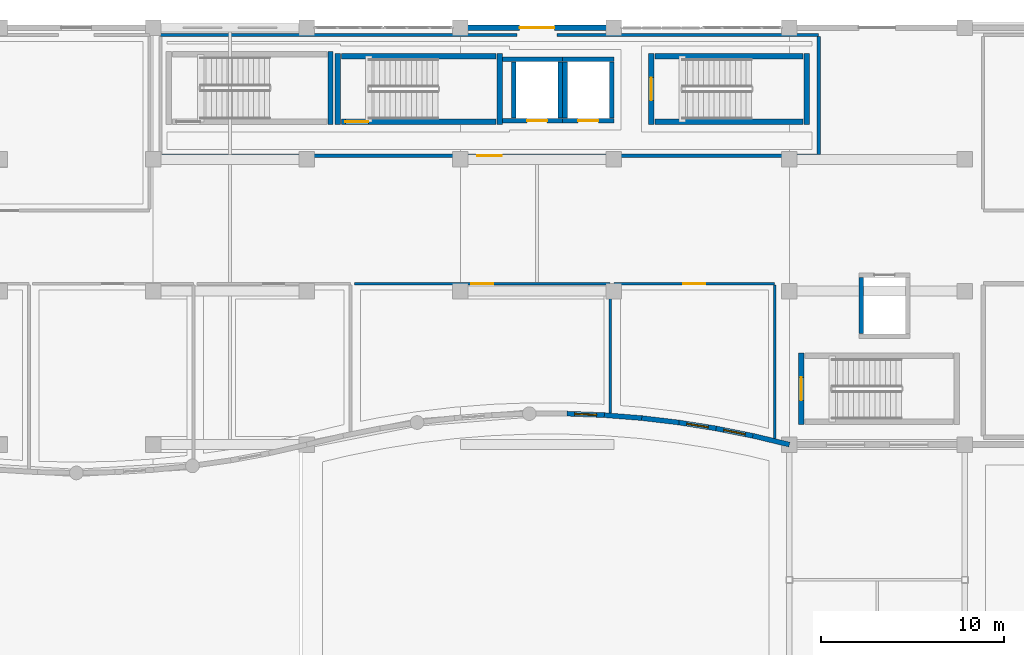
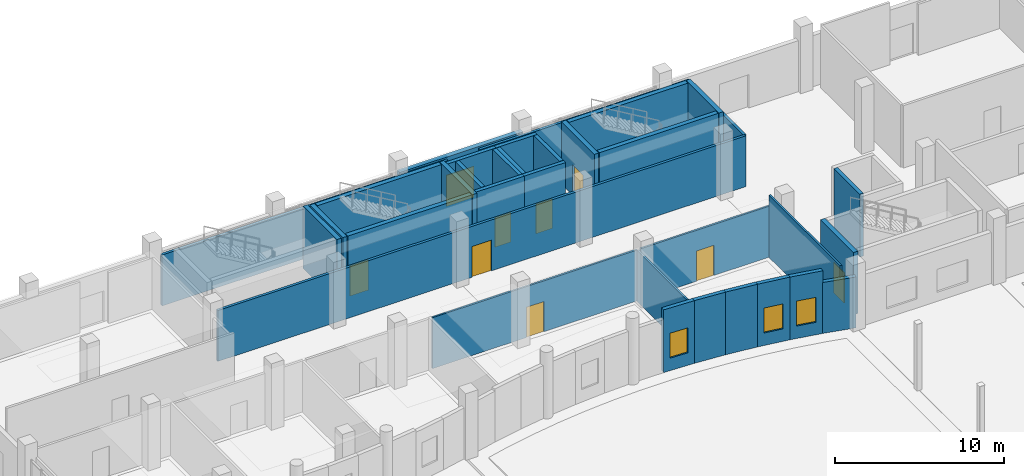
# One storey, part 69 of 97: 34 walls, 9 doors, 3 windows, 12 openings.
"""IFC4 building model written with IfcOpenShell, lengths in metres."""

from ifc_helpers import new_model, si_unit, direction, frame, frame_2d, origin, place, context, subcontext, project, spatial, rectangle, extrude, material, layer, layer_set, type_object, element, fill, save


model = new_model("IFC4")

# Units and contexts
model_context = context("Model", 3, precision=1e-05, world=origin(), true_north=direction((0.0, 1.0)))
body_context = subcontext(model_context, "Body", "Model", "MODEL_VIEW")
ifc_project = project(units=[si_unit("LENGTHUNIT", "METRE"), si_unit("AREAUNIT", "SQUARE_METRE"), si_unit("VOLUMEUNIT", "CUBIC_METRE"), si_unit("PLANEANGLEUNIT", "RADIAN"), si_unit("MASSUNIT", "GRAM", prefix="KILO")], contexts=[model_context])

# Site, building, storey
site_placement = place(None, origin())
site = spatial("IfcSite", under=ifc_project, at=site_placement, CompositionType="ELEMENT")
building_placement = place(site_placement, origin())
building = spatial("IfcBuilding", under=site, at=building_placement, Name="Kisaragi Civic Commons", CompositionType="ELEMENT")
storey_placement = place(building_placement, origin())
storey = spatial("IfcBuildingStorey", under=building, at=storey_placement, Name="L00", CompositionType="ELEMENT", Elevation=0.0)

# Wall, opening, door
ifc_material_1 = material(Name="Insulated Tokoname terracotta cavity wall", Category="masonry")
ifc_layer_1 = layer(ifc_material_1, 0.320068359375, Name="Insulated Tokoname terracotta cavity wall", Category="masonry")
ifc_layer_set_1 = layer_set([ifc_layer_1], Name="Insulated Tokoname terracotta cavity wall")
wall_type_1 = type_object("IfcWallType", Name="EW-01", PredefinedType="STANDARD", material=ifc_layer_set_1)
wall_1_placement = place(storey_placement, frame((105.60009765625, 118.800048828125, 0.0), z_axis=(0.0, 0.0, 1.0), x_axis=(1.0, 0.0, 0.0)))
wall_1 = element("IfcWall", 1, at=wall_1_placement, inside=storey, type_object=wall_type_1, Name="V4 L00 exterior terracotta wall EW-01 280", PredefinedType="STANDARD", context=body_context, shape_type="SweptSolid", body=[
    extrude(rectangle(XDim=8.39990234375, YDim=0.320068359375, at=frame_2d((4.199951171875, 0.0))), origin(), (0.0, 0.0, 1.0), 3.669921875),
])
opening_1_placement = place(wall_1_placement, frame((3.25, 0.0, 0.0)))
opening_1 = element("IfcOpeningElement", 2, at=opening_1_placement, cuts=wall_1, Name="Opening ED-F", PredefinedType="OPENING", context=body_context, shape_type="SweptSolid", body=[
    extrude(rectangle(XDim=1.89990234375, YDim=2.25, at=frame_2d((0.949951171875, 1.125))), frame((0.0, 0.169921875, 0.0), z_axis=(0.0, -1.0, 0.0), x_axis=(1.0, 0.0, 0.0)), (0.0, 0.0, 1.0), 0.340087890625),
])
ifc_material_2 = material(Name="Thermally broken anodized aluminium glazed exit door", Category="aluminium")
door_type_1 = type_object("IfcDoorType", Name="ED-F", OperationType="NOTDEFINED", PredefinedType="DOOR", material=ifc_material_2)
door_1_placement = place(opening_1_placement, origin())
door_1 = element("IfcDoor", 3, at=door_1_placement, inside=storey, type_object=door_type_1, Name="Ground exterior exit and veranda door ED-F 18", OperationType="DOUBLE_DOOR_SINGLE_SWING", OverallHeight=2.25, OverallWidth=1.89990234375, PredefinedType="DOOR", context=body_context, shape_type="SweptSolid", body=[
    extrude(rectangle(XDim=1.89990234375, YDim=2.25, at=frame_2d((0.949951171875, 1.125))), frame((0.0, 0.02490234375, 0.0), z_axis=(0.0, -1.0, 0.0), x_axis=(1.0, 0.0, 0.0)), (0.0, 0.0, 1.0), 0.050048828125),
])
fill(opening_1, door_1)

# Wall
ifc_layer_2 = layer(ifc_material_1, 0.26806640625, Name="Insulated Tokoname terracotta cavity wall", Category="masonry")
ifc_layer_set_2 = layer_set([ifc_layer_2], Name="Insulated Tokoname terracotta cavity wall")
wall_type_2 = type_object("IfcWallType", Name="EW-04", PredefinedType="STANDARD", material=ifc_layer_set_2)
wall_2_placement = place(storey_placement, frame((123.60009765625, 96.0, 0.0), z_axis=(0.0, 0.0, 1.0), x_axis=(-0.972062565516, 0.234721896554, 0.0)))
element("IfcWall", 4, at=wall_2_placement, inside=storey, type_object=wall_type_2, Name="V4 L00 exterior terracotta wall EW-04 289", PredefinedType="STANDARD", context=body_context, shape_type="SweptSolid", body=[
    extrude(rectangle(XDim=2.05322265625, YDim=0.26806640625, at=frame_2d((1.026611328125, 0.0))), origin(), (0.0, 0.0, 1.0), 3.669921875),
])

# Wall, opening, window
wall_3_placement = place(storey_placement, frame((121.604248046875, 96.48193359375, 0.0), z_axis=(0.0, 0.0, 1.0), x_axis=(-0.980585249135, 0.196093266532, 0.0)))
wall_3 = element("IfcWall", 5, at=wall_3_placement, inside=storey, type_object=wall_type_2, Name="V4 L00 exterior terracotta wall EW-04 290", PredefinedType="STANDARD", context=body_context, shape_type="SweptSolid", body=[
    extrude(rectangle(XDim=2.052978515625, YDim=0.26806640625, at=frame_2d((1.0263671875, 0.0))), origin(), (0.0, 0.0, 1.0), 4.52001953125),
])
opening_2_placement = place(wall_3_placement, frame((0.426513671875, 0.0, 0.89990234375)))
opening_2 = element("IfcOpeningElement", 6, at=opening_2_placement, cuts=wall_3, Name="Opening W-05", PredefinedType="OPENING", context=body_context, shape_type="SweptSolid", body=[
    extrude(rectangle(XDim=1.199951171875, YDim=1.800048828125, at=frame_2d((0.60009765625, 0.89990234375))), frame((0.0, 0.14404296875, 0.0), z_axis=(0.0, -1.0, 0.0), x_axis=(1.0, 0.0, 0.0)), (0.0, 0.0, 1.0), 0.2880859375),
])
ifc_material_3 = material(Name="Thermally broken aluminium frame and low-E argon double glazing", Category="aluminium")
window_type = type_object("IfcWindowType", Name="W-05", PartitioningType="SINGLE_PANEL", PredefinedType="WINDOW", material=ifc_material_3)
window_1_placement = place(opening_2_placement, origin())
window_1 = element("IfcWindow", 7, at=window_1_placement, inside=storey, type_object=window_type, Name="V4 L00 window W-05 95", OverallHeight=1.800048828125, OverallWidth=1.199951171875, PartitioningType="SINGLE_PANEL", PredefinedType="WINDOW", context=body_context, shape_type="SweptSolid", body=[
    extrude(rectangle(XDim=1.199951171875, YDim=1.800048828125, at=frame_2d((0.60009765625, 0.89990234375))), frame((0.0, 0.030029296875, 0.0), z_axis=(0.0, -1.0, 0.0), x_axis=(1.0, 0.0, 0.0)), (0.0, 0.0, 1.0), 0.06005859375),
])
fill(opening_2, window_1)

wall_4_placement = place(storey_placement, frame((119.591064453125, 96.884521484375, 0.0), z_axis=(0.0, 0.0, 1.0), x_axis=(-0.987547997058, 0.157318001217, 0.0)))
wall_4 = element("IfcWall", 8, at=wall_4_placement, inside=storey, type_object=wall_type_2, Name="V4 L00 exterior terracotta wall EW-04 291", PredefinedType="STANDARD", context=body_context, shape_type="SweptSolid", body=[
    extrude(rectangle(XDim=2.05322265625, YDim=0.26806640625, at=frame_2d((1.026611328125, 0.0))), origin(), (0.0, 0.0, 1.0), 4.52001953125),
])
opening_3_placement = place(wall_4_placement, frame((0.426513671875, 0.0, 0.89990234375)))
opening_3 = element("IfcOpeningElement", 9, at=opening_3_placement, cuts=wall_4, Name="Opening W-05", PredefinedType="OPENING", context=body_context, shape_type="SweptSolid", body=[
    extrude(rectangle(XDim=1.199951171875, YDim=1.800048828125, at=frame_2d((0.60009765625, 0.89990234375))), frame((0.0, 0.14404296875, 0.0), z_axis=(0.0, -1.0, 0.0), x_axis=(1.0, 0.0, 0.0)), (0.0, 0.0, 1.0), 0.2880859375),
])
window_2_placement = place(opening_3_placement, origin())
window_2 = element("IfcWindow", 10, at=window_2_placement, inside=storey, type_object=window_type, Name="V4 L00 window W-05 96", OverallHeight=1.800048828125, OverallWidth=1.199951171875, PartitioningType="SINGLE_PANEL", PredefinedType="WINDOW", context=body_context, shape_type="SweptSolid", body=[
    extrude(rectangle(XDim=1.199951171875, YDim=1.800048828125, at=frame_2d((0.60009765625, 0.89990234375))), frame((0.0, 0.030029296875, 0.0), z_axis=(0.0, -1.0, 0.0), x_axis=(1.0, 0.0, 0.0)), (0.0, 0.0, 1.0), 0.06005859375),
])
fill(opening_3, window_2)

# Walls
wall_5_placement = place(storey_placement, frame((117.5634765625, 97.20751953125, 0.0), z_axis=(0.0, 0.0, 1.0), x_axis=(-0.992988938913, 0.118207306021, 0.0)))
element("IfcWall", 11, at=wall_5_placement, inside=storey, type_object=wall_type_2, Name="V4 L00 exterior terracotta wall EW-04 292", PredefinedType="STANDARD", context=body_context, shape_type="SweptSolid", body=[
    extrude(rectangle(XDim=2.052978515625, YDim=0.26806640625, at=frame_2d((1.0263671875, 0.0))), origin(), (0.0, 0.0, 1.0), 4.52001953125),
])
wall_6_placement = place(storey_placement, frame((115.52490234375, 97.4501953125, 0.0), z_axis=(0.0, 0.0, 1.0), x_axis=(-0.996887829118, 0.078833090494, 0.0)))
element("IfcWall", 12, at=wall_6_placement, inside=storey, type_object=wall_type_2, Name="V4 L00 exterior terracotta wall EW-04 293", PredefinedType="STANDARD", context=body_context, shape_type="SweptSolid", body=[
    extrude(rectangle(XDim=2.05322265625, YDim=0.26806640625, at=frame_2d((1.026611328125, 0.0))), origin(), (0.0, 0.0, 1.0), 4.52001953125),
])

# Wall, opening, window
wall_7_placement = place(storey_placement, frame((113.47802734375, 97.612060546875, 0.0), z_axis=(0.0, 0.0, 1.0), x_axis=(-0.999220404448, 0.039478897332, 0.0)))
wall_7 = element("IfcWall", 13, at=wall_7_placement, inside=storey, type_object=wall_type_2, Name="V4 L00 exterior terracotta wall EW-04 294", PredefinedType="STANDARD", context=body_context, shape_type="SweptSolid", body=[
    extrude(rectangle(XDim=2.05322265625, YDim=0.26806640625, at=frame_2d((1.026611328125, 0.0))), origin(), (0.0, 0.0, 1.0), 4.52001953125),
])
opening_4_placement = place(wall_7_placement, frame((0.426513671875, 0.0, 0.89990234375)))
opening_4 = element("IfcOpeningElement", 14, at=opening_4_placement, cuts=wall_7, Name="Opening W-05", PredefinedType="OPENING", context=body_context, shape_type="SweptSolid", body=[
    extrude(rectangle(XDim=1.199951171875, YDim=1.800048828125, at=frame_2d((0.60009765625, 0.89990234375))), frame((0.0, 0.14404296875, 0.0), z_axis=(0.0, -1.0, 0.0), x_axis=(1.0, 0.0, 0.0)), (0.0, 0.0, 1.0), 0.2880859375),
])
window_3_placement = place(opening_4_placement, origin())
window_3 = element("IfcWindow", 15, at=window_3_placement, inside=storey, type_object=window_type, Name="V4 L00 window W-05 97", OverallHeight=1.800048828125, OverallWidth=1.199951171875, PartitioningType="SINGLE_PANEL", PredefinedType="WINDOW", context=body_context, shape_type="SweptSolid", body=[
    extrude(rectangle(XDim=1.199951171875, YDim=1.800048828125, at=frame_2d((0.60009765625, 0.89990234375))), frame((0.0, 0.030029296875, 0.0), z_axis=(0.0, -1.0, 0.0), x_axis=(1.0, 0.0, 0.0)), (0.0, 0.0, 1.0), 0.06005859375),
])
fill(opening_4, window_3)

# Walls
ifc_material_4 = material(Name="Fire-rated double gypsum board on steel studs with mineral wool", Category="steel")
ifc_layer_3 = layer(ifc_material_4, 0.177978515625, Name="Fire-rated double gypsum board on steel studs with mineral wool", Category="steel")
ifc_layer_set_3 = layer_set([ifc_layer_3], Name="Fire-rated double gypsum board on steel studs with mineral wool")
wall_type_3 = type_object("IfcWallType", Name="FW-02", PredefinedType="STANDARD", material=ifc_layer_set_3)
wall_8_placement = place(storey_placement, frame((89.205078125, 118.39990234375, 0.0), z_axis=(0.0, 0.0, 1.0), x_axis=(1.0, 0.0, 0.0)))
element("IfcWall", 16, at=wall_8_placement, inside=storey, type_object=wall_type_3, Name="L00 W0-16 partition FW-02 31", PredefinedType="STANDARD", context=body_context, shape_type="SweptSolid", body=[
    extrude(rectangle(XDim=19.5, YDim=0.177978515625, at=frame_2d((9.75, 0.0))), origin(), (0.0, 0.0, 1.0), 3.669921875),
])
wall_9_placement = place(storey_placement, frame((110.89501953125, 118.39990234375, 0.0), z_axis=(0.0, 0.0, 1.0), x_axis=(1.0, 0.0, 0.0)))
element("IfcWall", 17, at=wall_9_placement, inside=storey, type_object=wall_type_3, Name="L00 W0-16 partition FW-02 32", PredefinedType="STANDARD", context=body_context, shape_type="SweptSolid", body=[
    extrude(rectangle(XDim=14.300048828125, YDim=0.177978515625, at=frame_2d((7.14990234375, 0.0))), origin(), (0.0, 0.0, 1.0), 3.669921875),
])
wall_10_placement = place(storey_placement, frame((125.199951171875, 118.324951171875, 0.0), z_axis=(0.0, 0.0, 1.0), x_axis=(0.0, -1.0, 0.0)))
element("IfcWall", 18, at=wall_10_placement, inside=storey, type_object=wall_type_3, Name="L00 W0-16 partition FW-02 33", PredefinedType="STANDARD", context=body_context, shape_type="SweptSolid", body=[
    extrude(rectangle(XDim=6.449951171875, YDim=0.177978515625, at=frame_2d((3.22509765625, 0.0))), origin(), (0.0, 0.0, 1.0), 3.669921875),
])

# Wall, opening, door
wall_11_placement = place(storey_placement, frame((125.195068359375, 111.800048828125, 0.0), z_axis=(0.0, 0.0, 1.0), x_axis=(-1.0, 0.0, 0.0)))
wall_11 = element("IfcWall", 19, at=wall_11_placement, inside=storey, type_object=wall_type_3, Name="L00 W0-16 partition FW-02 34", PredefinedType="STANDARD", context=body_context, shape_type="SweptSolid", body=[
    extrude(rectangle(XDim=35.989990234375, YDim=0.177978515625, at=frame_2d((17.9951171875, 0.0))), origin(), (0.0, 0.0, 1.0), 3.669921875),
])
opening_5_placement = place(wall_11_placement, frame((17.3349609375, 0.0, 0.0)))
opening_5 = element("IfcOpeningElement", 20, at=opening_5_placement, cuts=wall_11, Name="Opening FD-04", PredefinedType="OPENING", context=body_context, shape_type="SweptSolid", body=[
    extrude(rectangle(XDim=1.320068359375, YDim=2.219970703125, at=frame_2d((0.66015625, 1.10986328125))), frame((0.0, 0.098876953125, 0.0), z_axis=(0.0, -1.0, 0.0), x_axis=(1.0, 0.0, 0.0)), (0.0, 0.0, 1.0), 0.197998046875),
])
ifc_material_5 = material(Name="Insulated fire-rated pressed steel door assembly", Category="steel")
door_type_2 = type_object("IfcDoorType", Name="FD-04", OperationType="NOTDEFINED", PredefinedType="DOOR", material=ifc_material_5)
door_2_placement = place(opening_5_placement, origin())
door_2 = element("IfcDoor", 21, at=door_2_placement, inside=storey, type_object=door_type_2, Name="Stair Exit Lobby North door FD-04", OperationType="DOUBLE_DOOR_SINGLE_SWING", OverallHeight=2.219970703125, OverallWidth=1.320068359375, PredefinedType="DOOR", context=body_context, shape_type="SweptSolid", body=[
    extrude(rectangle(XDim=1.320068359375, YDim=2.219970703125, at=frame_2d((0.66015625, 1.10986328125))), frame((0.0, 0.02490234375, 0.0), z_axis=(0.0, -1.0, 0.0), x_axis=(1.0, 0.0, 0.0)), (0.0, 0.0, 1.0), 0.050048828125),
])
fill(opening_5, door_2)

ifc_material_6 = material(Name="Acoustic gypsum board on light-gauge steel studs", Category="steel")
ifc_layer_4 = layer(ifc_material_6, 0.1279296875, Name="Acoustic gypsum board on light-gauge steel studs", Category="steel")
ifc_layer_set_4 = layer_set([ifc_layer_4], Name="Acoustic gypsum board on light-gauge steel studs")
wall_type_4 = type_object("IfcWallType", Name="IW-09", PredefinedType="STANDARD", material=ifc_layer_set_4)
wall_12_placement = place(storey_placement, frame((99.804931640625, 104.800048828125, 0.0), z_axis=(0.0, 0.0, 1.0), x_axis=(1.0, 0.0, 0.0)))
wall_12 = element("IfcWall", 22, at=wall_12_placement, inside=storey, type_object=wall_type_4, Name="L00 W0-08 partition IW-09 156", PredefinedType="STANDARD", context=body_context, shape_type="SweptSolid", body=[
    extrude(rectangle(XDim=13.989990234375, YDim=0.1279296875, at=frame_2d((6.9951171875, 0.0))), origin(), (0.0, 0.0, 1.0), 3.669921875),
])
opening_6_placement = place(wall_12_placement, frame((6.39501953125, 0.0, 0.0)))
opening_6 = element("IfcOpeningElement", 23, at=opening_6_placement, cuts=wall_12, Name="Opening ID-10", PredefinedType="OPENING", context=body_context, shape_type="SweptSolid", body=[
    extrude(rectangle(XDim=1.199951171875, YDim=2.179931640625, at=frame_2d((0.60009765625, 1.08984375))), frame((0.0, 0.073974609375, 0.0), z_axis=(0.0, -1.0, 0.0), x_axis=(1.0, 0.0, 0.0)), (0.0, 0.0, 1.0), 0.14794921875),
])
ifc_material_7 = material(Name="Solid-core Japanese ash acoustic flush timber leaf in steel frame", Category="steel")
door_type_3 = type_object("IfcDoorType", Name="ID-10", OperationType="NOTDEFINED", PredefinedType="DOOR", material=ifc_material_7)
door_3_placement = place(opening_6_placement, origin())
door_3 = element("IfcDoor", 24, at=door_3_placement, inside=storey, type_object=door_type_3, Name="Community Cafe door ID-10", OperationType="SINGLE_SWING_RIGHT", OverallHeight=2.179931640625, OverallWidth=1.199951171875, PredefinedType="DOOR", context=body_context, shape_type="SweptSolid", body=[
    extrude(rectangle(XDim=1.199951171875, YDim=2.179931640625, at=frame_2d((0.60009765625, 1.08984375))), frame((0.0, 0.02490234375, 0.0), z_axis=(0.0, -1.0, 0.0), x_axis=(1.0, 0.0, 0.0)), (0.0, 0.0, 1.0), 0.050048828125),
])
fill(opening_6, door_3)

# Wall
wall_13_placement = place(storey_placement, frame((113.800048828125, 104.72509765625, 0.0), z_axis=(0.0, 0.0, 1.0), x_axis=(0.0, -1.0, 0.0)))
element("IfcWall", 25, at=wall_13_placement, inside=storey, type_object=wall_type_4, Name="L00 W0-08 partition IW-09 157", PredefinedType="STANDARD", context=body_context, shape_type="SweptSolid", body=[
    extrude(rectangle(XDim=6.99658203125, YDim=0.1279296875, at=frame_2d((3.498291015625, 0.0))), origin(), (0.0, 0.0, 1.0), 3.669921875),
])

# Wall, opening, door
wall_14_placement = place(storey_placement, frame((114.0048828125, 104.800048828125, 0.0), z_axis=(0.0, 0.0, 1.0), x_axis=(1.0, 0.0, 0.0)))
wall_14 = element("IfcWall", 26, at=wall_14_placement, inside=storey, type_object=wall_type_4, Name="L00 W0-09 partition IW-09 158", PredefinedType="STANDARD", context=body_context, shape_type="SweptSolid", body=[
    extrude(rectangle(XDim=8.7900390625, YDim=0.1279296875, at=frame_2d((4.39501953125, 0.0))), origin(), (0.0, 0.0, 1.0), 3.669921875),
])
opening_7_placement = place(wall_14_placement, frame((3.794921875, 0.0, 0.0)))
opening_7 = element("IfcOpeningElement", 27, at=opening_7_placement, cuts=wall_14, Name="Opening ID-10", PredefinedType="OPENING", context=body_context, shape_type="SweptSolid", body=[
    extrude(rectangle(XDim=1.199951171875, YDim=2.179931640625, at=frame_2d((0.60009765625, 1.08984375))), frame((0.0, 0.073974609375, 0.0), z_axis=(0.0, -1.0, 0.0), x_axis=(1.0, 0.0, 0.0)), (0.0, 0.0, 1.0), 0.14794921875),
])
door_4_placement = place(opening_7_placement, origin())
door_4 = element("IfcDoor", 28, at=door_4_placement, inside=storey, type_object=door_type_3, Name="Community Shop door ID-10", OperationType="SINGLE_SWING_LEFT", OverallHeight=2.179931640625, OverallWidth=1.199951171875, PredefinedType="DOOR", context=body_context, shape_type="SweptSolid", body=[
    extrude(rectangle(XDim=1.199951171875, YDim=2.179931640625, at=frame_2d((0.60009765625, 1.08984375))), frame((0.0, 0.02490234375, 0.0), z_axis=(0.0, -1.0, 0.0), x_axis=(1.0, 0.0, 0.0)), (0.0, 0.0, 1.0), 0.050048828125),
])
fill(opening_7, door_4)

# Walls
wall_15_placement = place(storey_placement, frame((122.800048828125, 104.72509765625, 0.0), z_axis=(0.0, 0.0, 1.0), x_axis=(0.0, -1.0, 0.0)))
element("IfcWall", 29, at=wall_15_placement, inside=storey, type_object=wall_type_4, Name="L00 W0-09 partition IW-09 159", PredefinedType="STANDARD", context=body_context, shape_type="SweptSolid", body=[
    extrude(rectangle(XDim=8.389892578125, YDim=0.1279296875, at=frame_2d((4.19482421875, 0.0))), origin(), (0.0, 0.0, 1.0), 4.489990234375),
])
ifc_material_8 = material(Name="Concrete Fc36", Category="concrete")
ifc_layer_5 = layer(ifc_material_8, 0.300048828125, Name="Concrete Fc36", Category="concrete")
ifc_layer_set_5 = layer_set([ifc_layer_5], Name="Concrete Fc36")
wall_type_5 = type_object("IfcWallType", Name="SW-01", PredefinedType="SHEAR", material=ifc_layer_set_5)
wall_16_placement = place(storey_placement, frame((98.89990234375, 117.39990234375, 0.0), z_axis=(0.0, 0.0, 1.0), x_axis=(0.0, -1.0, 0.0)))
element("IfcWall", 30, at=wall_16_placement, inside=storey, type_object=wall_type_5, Name="ST-L1 L00 entry RC shear wall", PredefinedType="SHEAR", context=body_context, shape_type="SweptSolid", body=[
    extrude(rectangle(XDim=3.89990234375, YDim=0.300048828125, at=frame_2d((1.949951171875, 0.0))), origin(), (0.0, 0.0, 1.0), 4.4951171875),
])

# Wall, opening, door
wall_17_placement = place(storey_placement, frame((99.10009765625, 113.64990234375, 0.0), z_axis=(0.0, 0.0, 1.0), x_axis=(1.0, 0.0, 0.0)))
wall_17 = element("IfcWall", 31, at=wall_17_placement, inside=storey, type_object=wall_type_5, Name="ST-L1 L00 right RC shear wall", PredefinedType="SHEAR", context=body_context, shape_type="SweptSolid", body=[
    extrude(rectangle(XDim=8.449951171875, YDim=0.300048828125, at=frame_2d((4.22509765625, 0.0))), origin(), (0.0, 0.0, 1.0), 4.4951171875),
])
opening_8_placement = place(wall_17_placement, frame((0.219970703125, 0.0, 0.0)))
opening_8 = element("IfcOpeningElement", 32, at=opening_8_placement, cuts=wall_17, Name="Opening SD-01", PredefinedType="OPENING", context=body_context, shape_type="SweptSolid", body=[
    extrude(rectangle(XDim=1.25, YDim=2.199951171875, at=frame_2d((0.625, 1.10009765625))), frame((0.0, 0.159912109375, 0.0), z_axis=(0.0, -1.0, 0.0), x_axis=(1.0, 0.0, 0.0)), (0.0, 0.0, 1.0), 0.320068359375),
])
door_type_4 = type_object("IfcDoorType", Name="SD-01", OperationType="NOTDEFINED", PredefinedType="DOOR", material=ifc_material_5)
door_5_placement = place(opening_8_placement, frame((1.25, 0.0, 0.0), z_axis=(0.0, 0.0, 1.0), x_axis=(-1.0, 0.0, 0.0)))
door_5 = element("IfcDoor", 33, at=door_5_placement, inside=storey, type_object=door_type_4, Name="ST-L1 L00 stair fire door 2", OperationType="SINGLE_SWING_RIGHT", OverallHeight=2.199951171875, OverallWidth=1.25, PredefinedType="DOOR", context=body_context, shape_type="SweptSolid", body=[
    extrude(rectangle(XDim=1.25, YDim=2.199951171875, at=frame_2d((0.625, 1.10009765625))), frame((0.0, 0.02490234375, 0.0), z_axis=(0.0, -1.0, 0.0), x_axis=(1.0, 0.0, 0.0)), (0.0, 0.0, 1.0), 0.050048828125),
])
fill(opening_8, door_5)

# Walls
wall_18_placement = place(storey_placement, frame((107.75, 113.5, 0.0), z_axis=(0.0, 0.0, 1.0), x_axis=(0.0, 1.0, 0.0)))
element("IfcWall", 34, at=wall_18_placement, inside=storey, type_object=wall_type_5, Name="ST-L1 L00 far RC shear wall", PredefinedType="SHEAR", context=body_context, shape_type="SweptSolid", body=[
    extrude(rectangle(XDim=3.89990234375, YDim=0.300048828125, at=frame_2d((1.949951171875, 0.0))), origin(), (0.0, 0.0, 1.0), 4.4951171875),
])
wall_19_placement = place(storey_placement, frame((107.550048828125, 117.25, 0.0), z_axis=(0.0, 0.0, 1.0), x_axis=(-1.0, 0.0, 0.0)))
element("IfcWall", 35, at=wall_19_placement, inside=storey, type_object=wall_type_5, Name="ST-L1 L00 left RC shear wall", PredefinedType="SHEAR", context=body_context, shape_type="SweptSolid", body=[
    extrude(rectangle(XDim=8.449951171875, YDim=0.300048828125, at=frame_2d((4.22509765625, 0.0))), origin(), (0.0, 0.0, 1.0), 4.4951171875),
])

# Wall, opening, door
wall_20_placement = place(storey_placement, frame((116.050048828125, 117.39990234375, 0.0), z_axis=(0.0, 0.0, 1.0), x_axis=(0.0, -1.0, 0.0)))
wall_20 = element("IfcWall", 36, at=wall_20_placement, inside=storey, type_object=wall_type_5, Name="ST-L2 L00 entry RC shear wall", PredefinedType="SHEAR", context=body_context, shape_type="SweptSolid", body=[
    extrude(rectangle(XDim=3.89990234375, YDim=0.300048828125, at=frame_2d((1.949951171875, 0.0))), origin(), (0.0, 0.0, 1.0), 4.4951171875),
])
opening_9_placement = place(wall_20_placement, frame((1.324951171875, 0.0, 0.0)))
opening_9 = element("IfcOpeningElement", 37, at=opening_9_placement, cuts=wall_20, Name="Opening SD-01", PredefinedType="OPENING", context=body_context, shape_type="SweptSolid", body=[
    extrude(rectangle(XDim=1.25, YDim=2.199951171875, at=frame_2d((0.625, 1.10009765625))), frame((0.0, 0.159912109375, 0.0), z_axis=(0.0, -1.0, 0.0), x_axis=(1.0, 0.0, 0.0)), (0.0, 0.0, 1.0), 0.320068359375),
])
door_6_placement = place(opening_9_placement, frame((1.25, 0.0, 0.0), z_axis=(0.0, 0.0, 1.0), x_axis=(-1.0, 0.0, 0.0)))
door_6 = element("IfcDoor", 38, at=door_6_placement, inside=storey, type_object=door_type_4, Name="ST-L2 L00 stair fire door 8", OperationType="SINGLE_SWING_RIGHT", OverallHeight=2.199951171875, OverallWidth=1.25, PredefinedType="DOOR", context=body_context, shape_type="SweptSolid", body=[
    extrude(rectangle(XDim=1.25, YDim=2.199951171875, at=frame_2d((0.625, 1.10009765625))), frame((0.0, 0.02490234375, 0.0), z_axis=(0.0, -1.0, 0.0), x_axis=(1.0, 0.0, 0.0)), (0.0, 0.0, 1.0), 0.050048828125),
])
fill(opening_9, door_6)

# Walls
wall_21_placement = place(storey_placement, frame((116.25, 113.64990234375, 0.0), z_axis=(0.0, 0.0, 1.0), x_axis=(1.0, 0.0, 0.0)))
element("IfcWall", 39, at=wall_21_placement, inside=storey, type_object=wall_type_5, Name="ST-L2 L00 right RC shear wall", PredefinedType="SHEAR", context=body_context, shape_type="SweptSolid", body=[
    extrude(rectangle(XDim=8.10009765625, YDim=0.300048828125, at=frame_2d((4.050048828125, 0.0))), origin(), (0.0, 0.0, 1.0), 4.4951171875),
])
wall_22_placement = place(storey_placement, frame((124.550048828125, 113.5, 0.0), z_axis=(0.0, 0.0, 1.0), x_axis=(0.0, 1.0, 0.0)))
element("IfcWall", 40, at=wall_22_placement, inside=storey, type_object=wall_type_5, Name="ST-L2 L00 far RC shear wall", PredefinedType="SHEAR", context=body_context, shape_type="SweptSolid", body=[
    extrude(rectangle(XDim=3.89990234375, YDim=0.300048828125, at=frame_2d((1.949951171875, 0.0))), origin(), (0.0, 0.0, 1.0), 4.4951171875),
])
wall_23_placement = place(storey_placement, frame((124.35009765625, 117.25, 0.0), z_axis=(0.0, 0.0, 1.0), x_axis=(-1.0, 0.0, 0.0)))
element("IfcWall", 41, at=wall_23_placement, inside=storey, type_object=wall_type_5, Name="ST-L2 L00 left RC shear wall", PredefinedType="SHEAR", context=body_context, shape_type="SweptSolid", body=[
    extrude(rectangle(XDim=8.10009765625, YDim=0.300048828125, at=frame_2d((4.050048828125, 0.0))), origin(), (0.0, 0.0, 1.0), 4.4951171875),
])

# Wall, opening, door
wall_24_placement = place(storey_placement, frame((124.25, 101.0, 0.0), z_axis=(0.0, 0.0, 1.0), x_axis=(0.0, -1.0, 0.0)))
wall_24 = element("IfcWall", 42, at=wall_24_placement, inside=storey, type_object=wall_type_5, Name="ST-L3 L00 entry RC shear wall", PredefinedType="SHEAR", context=body_context, shape_type="SweptSolid", body=[
    extrude(rectangle(XDim=3.89990234375, YDim=0.300048828125, at=frame_2d((1.949951171875, 0.0))), origin(), (0.0, 0.0, 1.0), 4.4951171875),
])
opening_10_placement = place(wall_24_placement, frame((1.324951171875, 0.0, 0.0)))
opening_10 = element("IfcOpeningElement", 43, at=opening_10_placement, cuts=wall_24, Name="Opening SD-01", PredefinedType="OPENING", context=body_context, shape_type="SweptSolid", body=[
    extrude(rectangle(XDim=1.25, YDim=2.199951171875, at=frame_2d((0.625, 1.10009765625))), frame((0.0, 0.159912109375, 0.0), z_axis=(0.0, -1.0, 0.0), x_axis=(1.0, 0.0, 0.0)), (0.0, 0.0, 1.0), 0.320068359375),
])
door_7_placement = place(opening_10_placement, frame((1.25, 0.0, 0.0), z_axis=(0.0, 0.0, 1.0), x_axis=(-1.0, 0.0, 0.0)))
door_7 = element("IfcDoor", 44, at=door_7_placement, inside=storey, type_object=door_type_4, Name="ST-L3 L00 stair fire door 14", OperationType="SINGLE_SWING_RIGHT", OverallHeight=2.199951171875, OverallWidth=1.25, PredefinedType="DOOR", context=body_context, shape_type="SweptSolid", body=[
    extrude(rectangle(XDim=1.25, YDim=2.199951171875, at=frame_2d((0.625, 1.10009765625))), frame((0.0, 0.02490234375, 0.0), z_axis=(0.0, -1.0, 0.0), x_axis=(1.0, 0.0, 0.0)), (0.0, 0.0, 1.0), 0.050048828125),
])
fill(opening_10, door_7)

# Wall
wall_25_placement = place(storey_placement, frame((98.5, 113.5, 0.0), z_axis=(0.0, 0.0, 1.0), x_axis=(0.0, 1.0, 0.0)))
element("IfcWall", 45, at=wall_25_placement, inside=storey, type_object=wall_type_5, Name="ST-L4 L00 far RC shear wall", PredefinedType="SHEAR", context=body_context, shape_type="SweptSolid", body=[
    extrude(rectangle(XDim=4.0, YDim=0.300048828125, at=frame_2d((2.0, 0.0))), origin(), (0.0, 0.0, 1.0), 4.4951171875),
])

# Wall, opening, door
ifc_layer_6 = layer(ifc_material_8, 0.25, Name="Concrete Fc36", Category="concrete")
ifc_layer_set_6 = layer_set([ifc_layer_6], Name="Concrete Fc36")
wall_type_6 = type_object("IfcWallType", Name="SW-02", PredefinedType="SHEAR", material=ifc_layer_set_6)
wall_26_placement = place(storey_placement, frame((111.199951171875, 113.72509765625, 0.0), z_axis=(0.0, 0.0, 1.0), x_axis=(-1.0, 0.0, 0.0)))
wall_26 = element("IfcWall", 46, at=wall_26_placement, inside=storey, type_object=wall_type_6, Name="EL-L1 L00 south lift shaft wall", PredefinedType="SHEAR", context=body_context, shape_type="SweptSolid", body=[
    extrude(rectangle(XDim=3.300048828125, YDim=0.25, at=frame_2d((1.64990234375, 0.0))), origin(), (0.0, 0.0, 1.0), 4.52001953125),
])
opening_11_placement = place(wall_26_placement, frame((0.85009765625, 0.0, 0.0)))
opening_11 = element("IfcOpeningElement", 47, at=opening_11_placement, cuts=wall_26, Name="Opening LD-01", PredefinedType="OPENING", context=body_context, shape_type="SweptSolid", body=[
    extrude(rectangle(XDim=1.10009765625, YDim=2.14990234375, at=frame_2d((0.550048828125, 1.074951171875))), frame((0.0, 0.135009765625, 0.0), z_axis=(0.0, -1.0, 0.0), x_axis=(1.0, 0.0, 0.0)), (0.0, 0.0, 1.0), 0.27001953125),
])
ifc_material_9 = material(Name="Brushed stainless steel bi-parting landing door", Category="steel")
door_type_5 = type_object("IfcDoorType", Name="LD-01", OperationType="NOTDEFINED", PredefinedType="DOOR", material=ifc_material_9)
door_8_placement = place(opening_11_placement, origin())
door_8 = element("IfcDoor", 48, at=door_8_placement, inside=storey, type_object=door_type_5, Name="EL-L1 L00 sliding lift landing door", OperationType="DOUBLE_DOOR_SLIDING", OverallHeight=2.14990234375, OverallWidth=1.10009765625, PredefinedType="DOOR", context=body_context, shape_type="SweptSolid", body=[
    extrude(rectangle(XDim=1.10009765625, YDim=2.14990234375, at=frame_2d((0.550048828125, 1.074951171875))), frame((0.0, 0.02490234375, 0.0), z_axis=(0.0, -1.0, 0.0), x_axis=(1.0, 0.0, 0.0)), (0.0, 0.0, 1.0), 0.050048828125),
])
fill(opening_11, door_8)

# Walls
wall_27_placement = place(storey_placement, frame((108.52490234375, 113.8701171875, 0.0), z_axis=(0.0, 0.0, 1.0), x_axis=(0.0, 1.0, 0.0)))
element("IfcWall", 49, at=wall_27_placement, inside=storey, type_object=wall_type_6, Name="EL-L1 L00 west lift shaft wall", PredefinedType="SHEAR", context=body_context, shape_type="SweptSolid", body=[
    extrude(rectangle(XDim=3.059814453125, YDim=0.25, at=frame_2d((1.52978515625, 0.0))), origin(), (0.0, 0.0, 1.0), 4.52001953125),
])
wall_28_placement = place(storey_placement, frame((107.89990234375, 117.074951171875, 0.0), z_axis=(0.0, 0.0, 1.0), x_axis=(1.0, 0.0, 0.0)))
element("IfcWall", 50, at=wall_28_placement, inside=storey, type_object=wall_type_6, Name="EL-L1 L00 north lift shaft wall", PredefinedType="SHEAR", context=body_context, shape_type="SweptSolid", body=[
    extrude(rectangle(XDim=3.300048828125, YDim=0.25, at=frame_2d((1.64990234375, 0.0))), origin(), (0.0, 0.0, 1.0), 4.52001953125),
])
wall_29_placement = place(storey_placement, frame((111.074951171875, 116.929931640625, 0.0), z_axis=(0.0, 0.0, 1.0), x_axis=(0.0, -1.0, 0.0)))
element("IfcWall", 51, at=wall_29_placement, inside=storey, type_object=wall_type_6, Name="EL-L1 L00 east lift shaft wall", PredefinedType="SHEAR", context=body_context, shape_type="SweptSolid", body=[
    extrude(rectangle(XDim=3.059814453125, YDim=0.25, at=frame_2d((1.52978515625, 0.0))), origin(), (0.0, 0.0, 1.0), 4.52001953125),
])

# Wall, opening, door
wall_30_placement = place(storey_placement, frame((114.0, 113.72509765625, 0.0), z_axis=(0.0, 0.0, 1.0), x_axis=(-1.0, 0.0, 0.0)))
wall_30 = element("IfcWall", 52, at=wall_30_placement, inside=storey, type_object=wall_type_6, Name="EL-L2 L00 south lift shaft wall", PredefinedType="SHEAR", context=body_context, shape_type="SweptSolid", body=[
    extrude(rectangle(XDim=2.800048828125, YDim=0.25, at=frame_2d((1.39990234375, 0.0))), origin(), (0.0, 0.0, 1.0), 4.52001953125),
])
opening_12_placement = place(wall_30_placement, frame((0.85009765625, 0.0, 0.0)))
opening_12 = element("IfcOpeningElement", 53, at=opening_12_placement, cuts=wall_30, Name="Opening LD-01", PredefinedType="OPENING", context=body_context, shape_type="SweptSolid", body=[
    extrude(rectangle(XDim=1.10009765625, YDim=2.14990234375, at=frame_2d((0.550048828125, 1.074951171875))), frame((0.0, 0.135009765625, 0.0), z_axis=(0.0, -1.0, 0.0), x_axis=(1.0, 0.0, 0.0)), (0.0, 0.0, 1.0), 0.27001953125),
])
door_9_placement = place(opening_12_placement, origin())
door_9 = element("IfcDoor", 54, at=door_9_placement, inside=storey, type_object=door_type_5, Name="EL-L2 L00 sliding lift landing door", OperationType="DOUBLE_DOOR_SLIDING", OverallHeight=2.14990234375, OverallWidth=1.10009765625, PredefinedType="DOOR", context=body_context, shape_type="SweptSolid", body=[
    extrude(rectangle(XDim=1.10009765625, YDim=2.14990234375, at=frame_2d((0.550048828125, 1.074951171875))), frame((0.0, 0.02490234375, 0.0), z_axis=(0.0, -1.0, 0.0), x_axis=(1.0, 0.0, 0.0)), (0.0, 0.0, 1.0), 0.050048828125),
])
fill(opening_12, door_9)

# Walls
wall_31_placement = place(storey_placement, frame((111.324951171875, 113.8701171875, 0.0), z_axis=(0.0, 0.0, 1.0), x_axis=(0.0, 1.0, 0.0)))
element("IfcWall", 55, at=wall_31_placement, inside=storey, type_object=wall_type_6, Name="EL-L2 L00 west lift shaft wall", PredefinedType="SHEAR", context=body_context, shape_type="SweptSolid", body=[
    extrude(rectangle(XDim=3.059814453125, YDim=0.25, at=frame_2d((1.52978515625, 0.0))), origin(), (0.0, 0.0, 1.0), 4.52001953125),
])
wall_32_placement = place(storey_placement, frame((111.199951171875, 117.074951171875, 0.0), z_axis=(0.0, 0.0, 1.0), x_axis=(1.0, 0.0, 0.0)))
element("IfcWall", 56, at=wall_32_placement, inside=storey, type_object=wall_type_6, Name="EL-L2 L00 north lift shaft wall", PredefinedType="SHEAR", context=body_context, shape_type="SweptSolid", body=[
    extrude(rectangle(XDim=2.800048828125, YDim=0.25, at=frame_2d((1.39990234375, 0.0))), origin(), (0.0, 0.0, 1.0), 4.52001953125),
])
for number, where, z_axis, x_axis, name in (
    (57, (113.875, 116.929931640625, 0.0), (0.0, 0.0, 1.0), (0.0, -1.0, 0.0), "EL-L2 L00 east lift shaft wall"),
    (58, (127.52490234375, 102.070068359375, 0.0), (0.0, 0.0, 1.0), (0.0, 1.0, 0.0), "EL-L3 L00 west lift shaft wall"),
):
    element("IfcWall", number, at=place(storey_placement, frame(where, z_axis=z_axis, x_axis=x_axis)), inside=storey, type_object=wall_type_6, Name=name, PredefinedType="SHEAR", context=body_context, shape_type="SweptSolid", body=[
        extrude(rectangle(XDim=3.059814453125, YDim=0.25, at=frame_2d((1.52978515625, 0.0))), origin(), (0.0, 0.0, 1.0), 4.52001953125),
    ])

save(model, "model.ifc")
